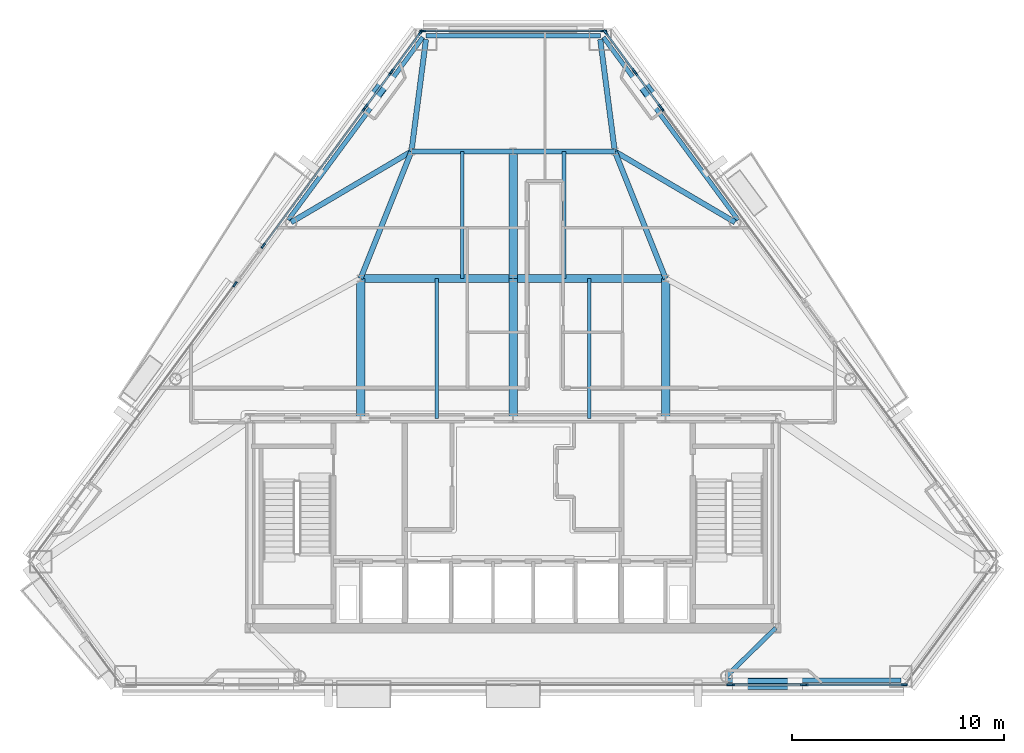
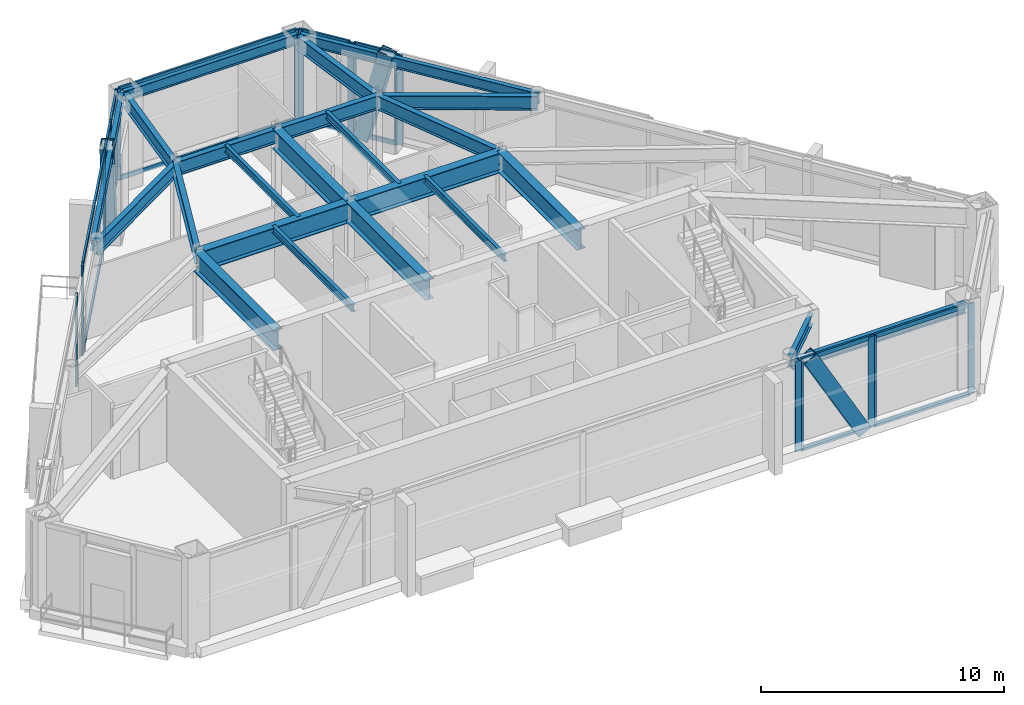
# One storey, part 3 of 10: 38 members, 23 beams, 11 elements without a shape of their own.
"""IFC4 building model written with IfcOpenShell, lengths in metres."""

import ifcopenshell
import ifcopenshell.guid

model = None  # the IFC model being written
_history = None  # IfcOwnerHistory: only IFC2X3 demands one
_inside = {}  # id of a spatial element -> (the spatial element, [elements in it])
_under = {}  # id of a project, library or spatial element -> (it, [spatial elements below it])
_declared = {}  # id of a project -> (the project, [libraries it declares])
_typed = {}  # id of a type object -> (the type object, [elements of that type])
_made_of = {}  # id of a material, layer set ... -> (it, [elements and type objects made of it])


def new_model(schema):
    """Start an empty IFC model of exactly this schema.

    Asked for "IFC4X3", IfcOpenShell would pick the latest addendum, in which some entities
    have other attributes; the version numbers below select the first issue.
    IFC2X3 requires an IfcOwnerHistory on every rooted entity: one is made here for all.
    """
    global model, _history
    if schema == "IFC4X3":
        model = ifcopenshell.file(schema_version=(4, 3, 0, 0))
    else:
        model = ifcopenshell.file(schema=schema)
    _inside.clear()
    _under.clear()
    _declared.clear()
    _typed.clear()
    _made_of.clear()
    _history = None
    if model.schema == "IFC2X3":
        org = make("IfcOrganization", Name="unknown")
        user = make(
            "IfcPersonAndOrganization",
            ThePerson=make("IfcPerson", FamilyName="unknown"),
            TheOrganization=org,
        )
        app = make(
            "IfcApplication",
            ApplicationDeveloper=org,
            Version="unknown",
            ApplicationFullName="unknown",
            ApplicationIdentifier="unknown",
        )
        _history = make(
            "IfcOwnerHistory",
            OwningUser=user,
            OwningApplication=app,
            ChangeAction="ADDED",
            CreationDate=0,
        )
    return model


def make(cls, **values):
    """One entity of the class cls with the attributes given. An attribute that is None is left unset."""
    return model.create_entity(
        cls, **{name: value for name, value in values.items() if value is not None}
    )


def rooted(cls, **values):
    """An entity with a GlobalId (a new one), such as an element, a storey or a relation."""
    return make(cls, GlobalId=ifcopenshell.guid.new(), OwnerHistory=_history, **values)


def si_unit(unit_type, name, prefix=None):
    """IfcSIUnit, for example si_unit("LENGTHUNIT", "METRE", prefix="MILLI")."""
    return make("IfcSIUnit", UnitType=unit_type, Prefix=prefix, Name=name)


def assignment(units):
    """IfcUnitAssignment: the units of a project."""
    return None if units is None else make("IfcUnitAssignment", Units=units)


def point(xyz):
    """IfcCartesianPoint."""
    return None if xyz is None else make("IfcCartesianPoint", Coordinates=xyz)


def direction(xyz):
    """IfcDirection."""
    return None if xyz is None else make("IfcDirection", DirectionRatios=xyz)


def frame(location, z_axis=None, x_axis=None):
    """IfcAxis2Placement3D, a coordinate frame: its origin and axes. An axis left out is left unset."""
    return make(
        "IfcAxis2Placement3D",
        Location=point(location),
        Axis=direction(z_axis),
        RefDirection=direction(x_axis),
    )


def frame_2d(location, x_axis=None):
    """IfcAxis2Placement2D, a coordinate frame in the plane: its origin and x axis."""
    return make(
        "IfcAxis2Placement2D", Location=point(location), RefDirection=direction(x_axis)
    )


def origin():
    """The frame at (0, 0, 0) with its axes left unset."""
    return frame((0.0, 0.0, 0.0))


def origin_2d():
    """The frame at (0, 0) in the plane with its x axis left unset."""
    return frame_2d((0.0, 0.0))


def place(relative_to, where):
    """IfcLocalPlacement: puts the frame where relative to a parent placement (None: the world)."""
    return make(
        "IfcLocalPlacement", PlacementRelTo=relative_to, RelativePlacement=where
    )


def context(
    kind, dimensions, precision=None, world=None, true_north=None, identifier=None
):
    """IfcGeometricRepresentationContext, for example the 3D "Model" context."""
    return make(
        "IfcGeometricRepresentationContext",
        ContextIdentifier=identifier,
        ContextType=kind,
        CoordinateSpaceDimension=dimensions,
        Precision=precision,
        WorldCoordinateSystem=world,
        TrueNorth=true_north,
    )


def subcontext(parent, identifier, kind, view, scale=None):
    """IfcGeometricRepresentationSubContext, for example "Body" below "Model"."""
    return make(
        "IfcGeometricRepresentationSubContext",
        ContextIdentifier=identifier,
        ContextType=kind,
        ParentContext=parent,
        TargetScale=scale,
        TargetView=view,
    )


def project(units=None, contexts=None):
    """IfcProject with its units and contexts."""
    return rooted(
        "IfcProject",
        Name="project",
        RepresentationContexts=contexts,
        UnitsInContext=assignment(units),
    )


def spatial(cls, under=None, at=None, **own):
    """A site, building, storey or space (cls), placed at a placement, below another one or the project."""
    s = rooted(cls, ObjectPlacement=at, **own)
    if under is not None:
        _under.setdefault(under.id(), (under, []))[1].append(s)
    return s


def profile(cls, at=None, kind="AREA", **sizes):
    """A parametric profile (cls). Its sizes go by their IFC names, for example OverallWidth=200.0."""
    return make(cls, ProfileType=kind, Position=at, **sizes)


def rectangle(**sizes):
    """IfcRectangleProfileDef."""
    return profile("IfcRectangleProfileDef", **sizes)


def hollow_rectangle(**sizes):
    """IfcRectangleHollowProfileDef."""
    return profile("IfcRectangleHollowProfileDef", **sizes)


def i_section(**sizes):
    """IfcIShapeProfileDef."""
    return profile("IfcIShapeProfileDef", **sizes)


def extrude(swept, where, along, depth):
    """IfcExtrudedAreaSolid: the profile swept, set in the frame where, extruded along a direction by depth."""
    return make(
        "IfcExtrudedAreaSolid",
        SweptArea=swept,
        Position=where,
        ExtrudedDirection=direction(along),
        Depth=depth,
    )


def shape(context_of_items, identifier, shape_type, items):
    """IfcShapeRepresentation: the items that make up one representation, for example the "Body"."""
    return make(
        "IfcShapeRepresentation",
        ContextOfItems=context_of_items,
        RepresentationIdentifier=identifier,
        RepresentationType=shape_type,
        Items=items,
    )


def material(Name=None, Category=None):
    """IfcMaterial."""
    return make("IfcMaterial", Name=Name, Category=Category)


def layer(
    of_material, thickness, ventilated=None, Name=None, Category=None, Priority=None
):
    """IfcMaterialLayer: one layer of a wall or slab, of a material (None: an air gap)."""
    return make(
        "IfcMaterialLayer",
        Material=of_material,
        LayerThickness=thickness,
        IsVentilated=ventilated,
        Name=Name,
        Category=Category,
        Priority=Priority,
    )


def layer_set(layers, Name=None):
    """IfcMaterialLayerSet."""
    return make("IfcMaterialLayerSet", MaterialLayers=layers, LayerSetName=Name)


def material_profile(
    of_material, cross_section, Name=None, Category=None, Priority=None
):
    """IfcMaterialProfile: a cross section and its material."""
    return make(
        "IfcMaterialProfile",
        Name=Name,
        Material=of_material,
        Profile=cross_section,
        Priority=Priority,
        Category=Category,
    )


def profile_set(profiles, Name=None, composite=None):
    """IfcMaterialProfileSet."""
    return make(
        "IfcMaterialProfileSet",
        Name=Name,
        MaterialProfiles=profiles,
        CompositeProfile=composite,
    )


def made_of(thing, what):
    """Note that an element or type object is made of a material, layer set ...; save() writes the relation."""
    if what is not None:
        _made_of.setdefault(what.id(), (what, []))[1].append(thing)
    return thing


def type_object(cls, material=None, **own):
    """A type object (cls), such as IfcWallType, which elements share."""
    return made_of(rooted(cls, **own), material)


def element(
    cls,
    number,
    at=None,
    inside=None,
    cuts=None,
    type_object=None,
    material=None,
    context=None,
    identifier="Body",
    shape_type=None,
    held_by="IfcProductDefinitionShape",
    body=None,
    shapes=None,
    **own,
):
    """One element of the class cls, such as IfcWall. Its Tag is "e" and its number.

    at: its placement. inside: the storey or other place that contains it. cuts: it is an
    opening in that element (IfcRelVoidsElement). A single representation is given by context,
    identifier, shape_type and body (its items); several are given by shapes. held_by: the class
    of the entity that holds the representations. save() writes the other relations.
    """
    e = rooted(cls, Tag="e%d" % number, ObjectPlacement=at, **own)
    if body is not None:
        shapes = [shape(context, identifier, shape_type, body)]
    if shapes is not None:
        e.Representation = make(held_by, Representations=shapes)
    if inside is not None:
        _inside.setdefault(inside.id(), (inside, []))[1].append(e)
    if cuts is not None:
        rooted(
            "IfcRelVoidsElement", RelatingBuildingElement=cuts, RelatedOpeningElement=e
        )
    if type_object is not None:
        _typed.setdefault(type_object.id(), (type_object, []))[1].append(e)
    return made_of(e, material)


def aggregate(whole, parts):
    """IfcRelAggregates: a whole, such as a stair, and the parts it consists of."""
    return rooted("IfcRelAggregates", RelatingObject=whole, RelatedObjects=parts)


def save(model, path):
    """Write the relations noted so far, then the file.

    IfcRelAggregates (storeys below a building ...), IfcRelContainedInSpatialStructure (elements
    in a storey), IfcRelDefinesByType, IfcRelAssociatesMaterial and IfcRelDeclares: one each for
    every whole, place, type object, material and project.
    """
    for whole, parts in _under.values():
        aggregate(whole, parts)
    for where, things in _inside.values():
        rooted(
            "IfcRelContainedInSpatialStructure",
            RelatedElements=things,
            RelatingStructure=where,
        )
    for kind, things in _typed.values():
        rooted("IfcRelDefinesByType", RelatedObjects=things, RelatingType=kind)
    for what, things in _made_of.values():
        rooted("IfcRelAssociatesMaterial", RelatedObjects=things, RelatingMaterial=what)
    for by, libraries in _declared.values():
        rooted("IfcRelDeclares", RelatingContext=by, RelatedDefinitions=libraries)
    model.write(path)


model = new_model("IFC4")

# Units and contexts
model_context = context("Model", 3, precision=1e-05, world=origin(), true_north=direction((0.0, 1.0)))
body_context = subcontext(model_context, "Body", "Model", "MODEL_VIEW")
ifc_project = project(units=[si_unit("LENGTHUNIT", "METRE"), si_unit("AREAUNIT", "SQUARE_METRE"), si_unit("VOLUMEUNIT", "CUBIC_METRE"), si_unit("PLANEANGLEUNIT", "RADIAN"), si_unit("MASSUNIT", "GRAM", prefix="KILO")], contexts=[model_context])

# Site, building, storey
site_placement = place(None, origin())
site = spatial("IfcSite", under=ifc_project, at=site_placement, CompositionType="ELEMENT")
building_placement = place(site_placement, origin())
building = spatial("IfcBuilding", under=site, at=building_placement, Name="Talgorran Terracotta Tower", CompositionType="ELEMENT")
storey_placement = place(building_placement, frame((0.0, 0.0, 173.699951171875)))
storey = spatial("IfcBuildingStorey", under=building, at=storey_placement, Name="L45", CompositionType="ELEMENT", Elevation=173.699951171875)

# Beams
ifc_material_1 = material(Name="Steel Grade 350 (350L0)", Category="steel")
ifc_material_profile_1 = material_profile(ifc_material_1, i_section(OverallWidth=0.39990234375, OverallDepth=1.0, WebThickness=0.01611328125, FlangeThickness=0.031005859375, at=origin_2d()), Name="1000WB296")
ifc_profile_set_1 = profile_set([ifc_material_profile_1], Name="Steel Grade 350 (350L0)")
beam_type_1 = type_object("IfcBeamType", Name="BM_1000WB296", PredefinedType="BEAM", material=ifc_profile_set_1)
for number, where, z_axis, x_axis, name in (
    (1, (-7.199951171875, -4.199951171875, 4.050048828125), (0.0, 1.0, 0.0), (-1.0, 0.0, 0.0), "L45 Floor Girder G01"),
    (2, (0.0, -4.199951171875, 4.050048828125), (0.0, 1.0, 0.0), (-1.0, 0.0, 0.0), "L45 Floor Girder G02"),
    (3, (7.199951171875, -4.199951171875, 4.050048828125), (0.0, 1.0, 0.0), (-1.0, 0.0, 0.0), "L45 Floor Girder G03"),
):
    element("IfcBeam", number, at=place(storey_placement, frame(where, z_axis=z_axis, x_axis=x_axis)), inside=storey, type_object=beam_type_1, Name=name, PredefinedType="BEAM", context=body_context, shape_type="SweptSolid", body=[
        extrude(i_section(OverallWidth=0.39990234375, OverallDepth=1.0, WebThickness=0.01611328125, FlangeThickness=0.031005859375, at=origin_2d()), origin(), (0.0, 0.0, 1.0), 6.599853515625),
    ])
for number, where, z_axis, x_axis, name in (
    (4, (-7.199951171875, 2.39990234375, 4.050048828125), (1.0, 0.0, 0.0), (0.0, 1.0, 0.0), "L45 Floor Girder G04"),
    (5, (0.0, 2.39990234375, 4.050048828125), (1.0, 0.0, 0.0), (0.0, 1.0, 0.0), "L45 Floor Girder G05"),
):
    element("IfcBeam", number, at=place(storey_placement, frame(where, z_axis=z_axis, x_axis=x_axis)), inside=storey, type_object=beam_type_1, Name=name, PredefinedType="BEAM", context=body_context, shape_type="SweptSolid", body=[
        extrude(i_section(OverallWidth=0.39990234375, OverallDepth=1.0, WebThickness=0.01611328125, FlangeThickness=0.031005859375, at=origin_2d()), origin(), (0.0, 0.0, 1.0), 7.199951171875),
    ])
beam_1_placement = place(storey_placement, frame((0.0, 2.39990234375, 4.050048828125), z_axis=(0.0, 1.0, 0.0), x_axis=(-1.0, 0.0, 0.0)))
element("IfcBeam", 6, at=beam_1_placement, inside=storey, type_object=beam_type_1, Name="L45 Floor Girder G09", PredefinedType="BEAM", context=body_context, shape_type="SweptSolid", body=[
    extrude(i_section(OverallWidth=0.39990234375, OverallDepth=1.0, WebThickness=0.01611328125, FlangeThickness=0.031005859375, at=origin_2d()), origin(), (0.0, 0.0, 1.0), 6.0),
])
ifc_material_2 = material(Name="Steel S355 (300PLUS)", Category="steel")
ifc_material_profile_2 = material_profile(ifc_material_2, i_section(OverallWidth=0.25, OverallDepth=0.699951171875, WebThickness=0.011962890625, FlangeThickness=0.02392578125, at=origin_2d()), Name="700WB150")
ifc_profile_set_2 = profile_set([ifc_material_profile_2], Name="Steel S355 (300PLUS)")
beam_type_2 = type_object("IfcBeamType", Name="BM_700WB150", PredefinedType="BEAM", material=ifc_profile_set_2)
for number, where, z_axis, x_axis, name in (
    (7, (-7.199951171875, 2.39990234375, 4.199951171875), (0.371377648723, 0.928481901832, 0.0), (-0.928481901832, 0.371377648723, 0.0), "L45 Floor Girder G08"),
    (8, (7.199951171875, 2.39990234375, 4.199951171875), (-0.371377648723, 0.928481901832, 0.0), (-0.928481901832, -0.371377648723, 0.0), "L45 Floor Girder G10"),
):
    element("IfcBeam", number, at=place(storey_placement, frame(where, z_axis=z_axis, x_axis=x_axis)), inside=storey, type_object=beam_type_2, Name=name, PredefinedType="BEAM", context=body_context, shape_type="SweptSolid", body=[
        extrude(i_section(OverallWidth=0.25, OverallDepth=0.699951171875, WebThickness=0.011962890625, FlangeThickness=0.02392578125, at=origin_2d()), origin(), (0.0, 0.0, 1.0), 6.462158203125),
    ])
for number, where, z_axis, x_axis, name in (
    (9, (-4.800048828125, 8.39990234375, 4.199951171875), (1.0, 0.0, 0.0), (0.0, 1.0, 0.0), "L45 Floor Girder G11"),
    (10, (0.0, 8.39990234375, 4.199951171875), (1.0, 0.0, 0.0), (0.0, 1.0, 0.0), "L45 Floor Girder G12"),
):
    element("IfcBeam", number, at=place(storey_placement, frame(where, z_axis=z_axis, x_axis=x_axis)), inside=storey, type_object=beam_type_2, Name=name, PredefinedType="BEAM", context=body_context, shape_type="SweptSolid", body=[
        extrude(i_section(OverallWidth=0.25, OverallDepth=0.699951171875, WebThickness=0.011962890625, FlangeThickness=0.02392578125, at=origin_2d()), origin(), (0.0, 0.0, 1.0), 4.800048828125),
    ])
for number, where, z_axis, x_axis, name in (
    (11, (-4.800048828125, 8.39990234375, 4.199951171875), (-0.861549168895, -0.507674137195, 0.0), (0.507674137195, -0.861549168895, 0.0), "L45 Floor Girder G13"),
    (12, (4.800048828125, 8.39990234375, 4.199951171875), (0.861549168895, -0.507674137195, 0.0), (0.507674137195, 0.861549168895, 0.0), "L45 Floor Girder G14"),
):
    element("IfcBeam", number, at=place(storey_placement, frame(where, z_axis=z_axis, x_axis=x_axis)), inside=storey, type_object=beam_type_2, Name=name, PredefinedType="BEAM", context=body_context, shape_type="SweptSolid", body=[
        extrude(i_section(OverallWidth=0.25, OverallDepth=0.699951171875, WebThickness=0.011962890625, FlangeThickness=0.02392578125, at=origin_2d()), origin(), (0.0, 0.0, 1.0), 6.58935546875),
    ])
for number, where, z_axis, x_axis, name in (
    (13, (-4.800048828125, 8.39990234375, 4.199951171875), (0.128759320013, 0.991675873211, 0.0), (-0.991675873211, 0.128759320013, 0.0), "L45 Floor Girder G15"),
    (14, (4.800048828125, 8.39990234375, 4.199951171875), (-0.128759320013, 0.991675873211, 0.0), (-0.991675873211, -0.128759320013, 0.0), "L45 Floor Girder G16"),
):
    element("IfcBeam", number, at=place(storey_placement, frame(where, z_axis=z_axis, x_axis=x_axis)), inside=storey, type_object=beam_type_2, Name=name, PredefinedType="BEAM", context=body_context, shape_type="SweptSolid", body=[
        extrude(i_section(OverallWidth=0.25, OverallDepth=0.699951171875, WebThickness=0.011962890625, FlangeThickness=0.02392578125, at=origin_2d()), origin(), (0.0, 0.0, 1.0), 5.328125),
    ])
ifc_material_profile_3 = material_profile(ifc_material_2, i_section(OverallWidth=0.17138671875, OverallDepth=0.355712890625, WebThickness=0.00732421875, FlangeThickness=0.011474609375, at=origin_2d()), Name="360UB50.7")
ifc_profile_set_3 = profile_set([ifc_material_profile_3], Name="Steel S355 (300PLUS)")
beam_type_3 = type_object("IfcBeamType", Name="BM_JS_360UB51", PredefinedType="JOIST", material=ifc_profile_set_3)
for number, where, z_axis, x_axis, name in (
    (15, (-3.60009765625, -4.199951171875, 4.372314453125), (0.0, 1.0, 0.0), (-1.0, 0.0, 0.0), "L45 Secondary Joist J01"),
    (16, (3.60009765625, -4.199951171875, 4.372314453125), (0.0, 1.0, 0.0), (-1.0, 0.0, 0.0), "L45 Secondary Joist J02"),
):
    element("IfcBeam", number, at=place(storey_placement, frame(where, z_axis=z_axis, x_axis=x_axis)), inside=storey, type_object=beam_type_3, Name=name, PredefinedType="JOIST", context=body_context, shape_type="SweptSolid", body=[
        extrude(i_section(OverallWidth=0.17138671875, OverallDepth=0.355712890625, WebThickness=0.00732421875, FlangeThickness=0.011474609375, at=origin_2d()), origin(), (0.0, 0.0, 1.0), 6.599853515625),
    ])
for number, where, z_axis, x_axis, name in (
    (17, (-2.39990234375, 2.39990234375, 4.372314453125), (0.0, 1.0, 0.0), (-1.0, 0.0, 0.0), "L45 Secondary Joist J03"),
    (18, (2.39990234375, 2.39990234375, 4.372314453125), (0.0, 1.0, 0.0), (-1.0, 0.0, 0.0), "L45 Secondary Joist J04"),
):
    element("IfcBeam", number, at=place(storey_placement, frame(where, z_axis=z_axis, x_axis=x_axis)), inside=storey, type_object=beam_type_3, Name=name, PredefinedType="JOIST", context=body_context, shape_type="SweptSolid", body=[
        extrude(i_section(OverallWidth=0.17138671875, OverallDepth=0.355712890625, WebThickness=0.00732421875, FlangeThickness=0.011474609375, at=origin_2d()), origin(), (0.0, 0.0, 1.0), 6.0),
    ])
ifc_material_profile_4 = material_profile(ifc_material_2, i_section(OverallWidth=0.209228515625, OverallDepth=0.532958984375, WebThickness=0.01025390625, FlangeThickness=0.015625, at=origin_2d()), Name="530UB92.4")
ifc_profile_set_4 = profile_set([ifc_material_profile_4], Name="Steel S355 (300PLUS)")
beam_type_4 = type_object("IfcBeamType", Name="BM_SP_530UB92", PredefinedType="SPANDREL", material=ifc_profile_set_4)
beam_2_placement = place(storey_placement, frame((10.0654296875, -16.565673828125, 4.283447265625), z_axis=(1.0, 0.0, 0.0), x_axis=(0.0, 1.0, 0.0)))
element("IfcBeam", 19, at=beam_2_placement, inside=storey, type_object=beam_type_4, Name="L45 Perimeter Spandrel Beam FC2-MC3", PredefinedType="SPANDREL", context=body_context, shape_type="SweptSolid", body=[
    extrude(i_section(OverallWidth=0.209228515625, OverallDepth=0.532958984375, WebThickness=0.01025390625, FlangeThickness=0.015625, at=origin_2d()), origin(), (0.0, 0.0, 1.0), 8.2353515625),
])
beam_3_placement = place(storey_placement, frame((10.621826171875, 5.16162109375, 4.283447265625), z_axis=(-0.593491072878, 0.804840572048, 0.0), x_axis=(-0.804840572048, -0.593491072878, 0.0)))
element("IfcBeam", 20, at=beam_3_placement, inside=storey, type_object=beam_type_4, Name="L45 Perimeter Spandrel Beam FC4-MC5", PredefinedType="SPANDREL", context=body_context, shape_type="SweptSolid", body=[
    extrude(i_section(OverallWidth=0.209228515625, OverallDepth=0.532958984375, WebThickness=0.01025390625, FlangeThickness=0.015625, at=origin_2d()), origin(), (0.0, 0.0, 1.0), 10.720947265625),
])
beam_4_placement = place(storey_placement, frame((4.114013671875, 13.863525390625, 4.283447265625), z_axis=(-1.0, 0.0, 0.0), x_axis=(0.0, -1.0, 0.0)))
element("IfcBeam", 21, at=beam_4_placement, inside=storey, type_object=beam_type_4, Name="L45 Perimeter Spandrel Beam MC5-MC6", PredefinedType="SPANDREL", context=body_context, shape_type="SweptSolid", body=[
    extrude(i_section(OverallWidth=0.209228515625, OverallDepth=0.532958984375, WebThickness=0.01025390625, FlangeThickness=0.015625, at=origin_2d()), origin(), (0.0, 0.0, 1.0), 8.22802734375),
])
beam_5_placement = place(storey_placement, frame((-4.259033203125, 13.790283203125, 4.283447265625), z_axis=(-0.593491072878, -0.804840572048, 0.0), x_axis=(0.804840572048, -0.593491072878, 0.0)))
element("IfcBeam", 22, at=beam_5_placement, inside=storey, type_object=beam_type_4, Name="L45 Perimeter Spandrel Beam MC6-FC5", PredefinedType="SPANDREL", context=body_context, shape_type="SweptSolid", body=[
    extrude(i_section(OverallWidth=0.209228515625, OverallDepth=0.532958984375, WebThickness=0.01025390625, FlangeThickness=0.015625, at=origin_2d()), origin(), (0.0, 0.0, 1.0), 10.720947265625),
])
beam_6_placement = place(storey_placement, frame((12.39990234375, -14.10009765625, 4.283447265625), z_axis=(-0.714577354867, -0.699556433686, 0.0), x_axis=(0.699556433686, -0.714577354867, 0.0)))
element("IfcBeam", 23, at=beam_6_placement, inside=storey, type_object=beam_type_4, Name="L45 South-East Core Tie Beam", PredefinedType="SPANDREL", context=body_context, shape_type="SweptSolid", body=[
    extrude(i_section(OverallWidth=0.209228515625, OverallDepth=0.532958984375, WebThickness=0.01025390625, FlangeThickness=0.015625, at=origin_2d()), origin(), (0.0, 0.0, 1.0), 3.266845703125),
])

# Members
ifc_material_profile_5 = material_profile(ifc_material_1, hollow_rectangle(XDim=0.52001953125, YDim=0.659912109375, WallThickness=0.034912109375, at=origin_2d()), Name="WBOX660X520X35")
ifc_profile_set_5 = profile_set([ifc_material_profile_5], Name="Steel Grade 350 (350L0)")
member_type_1 = type_object("IfcMemberType", Name="MB_MEGA_660", PredefinedType="BRACE", material=ifc_profile_set_5)
member_1_placement = place(storey_placement, frame((13.307373046875, -16.74560546875, -0.02490234375), z_axis=(-0.49025904333, 0.0, 0.871576772541), x_axis=(0.0, -1.0, 0.0)))
element("IfcMember", 24, at=member_1_placement, inside=storey, type_object=member_type_1, Name="L45 Exterior Face Mega-Brace MB-3 (SEF)", PredefinedType="BRACE", context=body_context, shape_type="SweptSolid", body=[
    extrude(hollow_rectangle(XDim=0.52001953125, YDim=0.659912109375, WallThickness=0.034912109375, at=origin_2d()), origin(), (0.0, 0.0, 1.0), 5.277587890625),
])
for number, where, z_axis, x_axis, name in (
    (25, (5.992919921875, 11.7421875, -0.02490234375), (0.143919400303, -0.195153676976, 0.970155785727), (0.80481558822, 0.593524952262, 0.0), "L45 Exterior Face Mega-Brace MB-3 (NEU)"),
    (26, (-5.992919921875, 11.7421875, -0.02490234375), (-0.143919400303, -0.195153676976, 0.970155785727), (0.80481558822, -0.593524952262, 0.0), "L45 Exterior Face Mega-Brace MB-3 (NWU)"),
):
    element("IfcMember", number, at=place(storey_placement, frame(where, z_axis=z_axis, x_axis=x_axis)), inside=storey, type_object=member_type_1, Name=name, PredefinedType="BRACE", context=body_context, shape_type="SweptSolid", body=[
        extrude(hollow_rectangle(XDim=0.52001953125, YDim=0.659912109375, WallThickness=0.034912109375, at=origin_2d()), origin(), (0.0, 0.0, 1.0), 4.741455078125),
    ])

# Curtain wall, member
ifc_material_3 = material(Name="Structural Laminated Low-Iron")
ifc_layer = layer(ifc_material_3, 0.239990234375, Name="CW_SYS5_SKY_OBS")
ifc_layer_set = layer_set([ifc_layer], Name="Structural Laminated Low-Iron")
curtain_wall_type = type_object("IfcCurtainWallType", Name="CW_SYS5_SKY_OBS", PredefinedType="NOTDEFINED", material=ifc_layer_set)
curtain_wall_1_placement = place(storey_placement, origin())
curtain_wall_1 = element("IfcCurtainWall", 27, at=curtain_wall_1_placement, inside=storey, type_object=curtain_wall_type, Name="CW-L45-F1C", PredefinedType="NOTDEFINED")
ifc_material_4 = material(Name="Architectural Aluminium 6063-T6", Category="aluminium")
ifc_material_profile_6 = material_profile(ifc_material_4, rectangle(XDim=0.090087890625, YDim=0.280029296875, at=origin_2d()), Name="CWM90X280")
ifc_profile_set_6 = profile_set([ifc_material_profile_6], Name="Architectural Aluminium 6063-T6")
member_type_2 = type_object("IfcMemberType", Name="MUL_90X280", PredefinedType="MULLION", material=ifc_profile_set_6)
member_2_placement = place(storey_placement, frame((10.232421875, -16.78564453125, 0.0), z_axis=(0.0, 0.0, 1.0), x_axis=(0.0, 1.0, 0.0)))
member_2 = element("IfcMember", 28, at=member_2_placement, type_object=member_type_2, Name="CW-L45-1C mullion 3", PredefinedType="MULLION", context=body_context, shape_type="SweptSolid", body=[
    extrude(rectangle(XDim=0.090087890625, YDim=0.280029296875, at=origin_2d()), origin(), (0.0, 0.0, 1.0), 4.550048828125),
])
aggregate(curtain_wall_1, [member_2])

# Curtain wall, members
curtain_wall_2_placement = place(storey_placement, origin())
curtain_wall_2 = element("IfcCurtainWall", 29, at=curtain_wall_2_placement, inside=storey, type_object=curtain_wall_type, Name="CW-L45-F1D", PredefinedType="NOTDEFINED")
member_3_placement = place(storey_placement, frame((10.332275390625, -16.78564453125, 0.0), z_axis=(0.0, 0.0, 1.0), x_axis=(0.0, 1.0, 0.0)))
member_3 = element("IfcMember", 30, at=member_3_placement, type_object=member_type_2, Name="CW-L45-1D mullion 1", PredefinedType="MULLION", context=body_context, shape_type="SweptSolid", body=[
    extrude(rectangle(XDim=0.090087890625, YDim=0.280029296875, at=origin_2d()), origin(), (0.0, 0.0, 1.0), 4.550048828125),
])
member_4_placement = place(storey_placement, frame((13.695068359375, -16.78564453125, 0.0), z_axis=(0.0, 0.0, 1.0), x_axis=(0.0, 1.0, 0.0)))
member_4 = element("IfcMember", 31, at=member_4_placement, type_object=member_type_2, Name="CW-L45-1D mullion 2", PredefinedType="MULLION", context=body_context, shape_type="SweptSolid", body=[
    extrude(rectangle(XDim=0.090087890625, YDim=0.280029296875, at=origin_2d()), origin(), (0.0, 0.0, 1.0), 4.550048828125),
])

curtain_wall_3_placement = place(storey_placement, origin())
curtain_wall_3 = element("IfcCurtainWall", 32, at=curtain_wall_3_placement, inside=storey, type_object=curtain_wall_type, Name="CW-L45-F1E", PredefinedType="NOTDEFINED")
member_5_placement = place(storey_placement, frame((13.794921875, -16.78564453125, 0.0), z_axis=(0.0, 0.0, 1.0), x_axis=(0.0, 1.0, 0.0)))
member_5 = element("IfcMember", 33, at=member_5_placement, type_object=member_type_2, Name="CW-L45-1E mullion 1", PredefinedType="MULLION", context=body_context, shape_type="SweptSolid", body=[
    extrude(rectangle(XDim=0.090087890625, YDim=0.280029296875, at=origin_2d()), origin(), (0.0, 0.0, 1.0), 4.550048828125),
])
member_6_placement = place(storey_placement, frame((18.457763671875, -16.78564453125, 0.0), z_axis=(0.0, 0.0, 1.0), x_axis=(0.0, 1.0, 0.0)))
member_6 = element("IfcMember", 34, at=member_6_placement, type_object=member_type_2, Name="CW-L45-1E mullion 2", PredefinedType="MULLION", context=body_context, shape_type="SweptSolid", body=[
    extrude(rectangle(XDim=0.090087890625, YDim=0.280029296875, at=origin_2d()), origin(), (0.0, 0.0, 1.0), 4.550048828125),
])

# Curtain wall, member
curtain_wall_4_placement = place(storey_placement, origin())
curtain_wall_4 = element("IfcCurtainWall", 35, at=curtain_wall_4_placement, inside=storey, type_object=curtain_wall_type, Name="CW-L45-F41", PredefinedType="NOTDEFINED")
member_7_placement = place(storey_placement, frame((7.01611328125, 10.421875, 0.0), z_axis=(0.0, 0.0, 1.0), x_axis=(-0.804839058038, -0.59349312604, 0.0)))
member_7 = element("IfcMember", 36, at=member_7_placement, type_object=member_type_2, Name="CW-L45-41 mullion 2", PredefinedType="MULLION", context=body_context, shape_type="SweptSolid", body=[
    extrude(rectangle(XDim=0.090087890625, YDim=0.280029296875, at=origin_2d()), origin(), (0.0, 0.0, 1.0), 4.550048828125),
])
aggregate(curtain_wall_4, [member_7])

# Curtain wall, members
curtain_wall_5_placement = place(storey_placement, origin())
curtain_wall_5 = element("IfcCurtainWall", 37, at=curtain_wall_5_placement, inside=storey, type_object=curtain_wall_type, Name="CW-L45-F41B", PredefinedType="NOTDEFINED")
member_8_placement = place(storey_placement, frame((6.956787109375, 10.50244140625, 0.0), z_axis=(0.0, 0.0, 1.0), x_axis=(-0.804831038132, -0.593504001722, 0.0)))
member_8 = element("IfcMember", 38, at=member_8_placement, type_object=member_type_2, Name="CW-L45-41B mullion 1", PredefinedType="MULLION", context=body_context, shape_type="SweptSolid", body=[
    extrude(rectangle(XDim=0.090087890625, YDim=0.280029296875, at=origin_2d()), origin(), (0.0, 0.0, 1.0), 4.550048828125),
])
member_9_placement = place(storey_placement, frame((5.775634765625, 12.104248046875, 0.0), z_axis=(0.0, 0.0, 1.0), x_axis=(-0.804831038132, -0.593504001722, 0.0)))
member_9 = element("IfcMember", 39, at=member_9_placement, type_object=member_type_2, Name="CW-L45-41B mullion 2", PredefinedType="MULLION", context=body_context, shape_type="SweptSolid", body=[
    extrude(rectangle(XDim=0.090087890625, YDim=0.280029296875, at=origin_2d()), origin(), (0.0, 0.0, 1.0), 4.550048828125),
])

curtain_wall_6_placement = place(storey_placement, origin())
curtain_wall_6 = element("IfcCurtainWall", 40, at=curtain_wall_6_placement, inside=storey, type_object=curtain_wall_type, Name="CW-L45-F41C", PredefinedType="NOTDEFINED")
member_10_placement = place(storey_placement, frame((5.71630859375, 12.1845703125, 0.0), z_axis=(0.0, 0.0, 1.0), x_axis=(-0.804835736891, -0.593497629838, 0.0)))
member_10 = element("IfcMember", 41, at=member_10_placement, type_object=member_type_2, Name="CW-L45-41C mullion 1", PredefinedType="MULLION", context=body_context, shape_type="SweptSolid", body=[
    extrude(rectangle(XDim=0.090087890625, YDim=0.280029296875, at=origin_2d()), origin(), (0.0, 0.0, 1.0), 4.550048828125),
])
member_11_placement = place(storey_placement, frame((4.366455078125, 14.01513671875, 0.0), z_axis=(0.0, 0.0, 1.0), x_axis=(-0.804835736891, -0.593497629838, 0.0)))
member_11 = element("IfcMember", 42, at=member_11_placement, type_object=member_type_2, Name="CW-L45-41C mullion 2", PredefinedType="MULLION", context=body_context, shape_type="SweptSolid", body=[
    extrude(rectangle(XDim=0.090087890625, YDim=0.280029296875, at=origin_2d()), origin(), (0.0, 0.0, 1.0), 4.550048828125),
])

curtain_wall_7_placement = place(storey_placement, origin())
curtain_wall_7 = element("IfcCurtainWall", 43, at=curtain_wall_7_placement, inside=storey, type_object=curtain_wall_type, Name="CW-L45-F4", PredefinedType="NOTDEFINED")
member_12_placement = place(storey_placement, frame((4.27099609375, 14.08349609375, 0.0), z_axis=(0.0, 0.0, 1.0), x_axis=(0.0, -1.0, 0.0)))
member_12 = element("IfcMember", 44, at=member_12_placement, type_object=member_type_2, Name="CW-L45-4 mullion 1", PredefinedType="MULLION", context=body_context, shape_type="SweptSolid", body=[
    extrude(rectangle(XDim=0.090087890625, YDim=0.280029296875, at=origin_2d()), origin(), (0.0, 0.0, 1.0), 4.550048828125),
])
member_13_placement = place(storey_placement, frame((-4.27099609375, 14.08349609375, 0.0), z_axis=(0.0, 0.0, 1.0), x_axis=(0.0, -1.0, 0.0)))
member_13 = element("IfcMember", 45, at=member_13_placement, type_object=member_type_2, Name="CW-L45-4 mullion 2", PredefinedType="MULLION", context=body_context, shape_type="SweptSolid", body=[
    extrude(rectangle(XDim=0.090087890625, YDim=0.280029296875, at=origin_2d()), origin(), (0.0, 0.0, 1.0), 4.550048828125),
])

curtain_wall_8_placement = place(storey_placement, origin())
curtain_wall_8 = element("IfcCurtainWall", 46, at=curtain_wall_8_placement, inside=storey, type_object=curtain_wall_type, Name="CW-L45-F60", PredefinedType="NOTDEFINED")
member_14_placement = place(storey_placement, frame((-4.366455078125, 14.01513671875, 0.0), z_axis=(0.0, 0.0, 1.0), x_axis=(0.804835736891, -0.593497629838, 0.0)))
member_14 = element("IfcMember", 47, at=member_14_placement, type_object=member_type_2, Name="CW-L45-60 mullion 1", PredefinedType="MULLION", context=body_context, shape_type="SweptSolid", body=[
    extrude(rectangle(XDim=0.090087890625, YDim=0.280029296875, at=origin_2d()), origin(), (0.0, 0.0, 1.0), 4.550048828125),
])
member_15_placement = place(storey_placement, frame((-5.71630859375, 12.1845703125, 0.0), z_axis=(0.0, 0.0, 1.0), x_axis=(0.804835736891, -0.593497629838, 0.0)))
member_15 = element("IfcMember", 48, at=member_15_placement, type_object=member_type_2, Name="CW-L45-60 mullion 2", PredefinedType="MULLION", context=body_context, shape_type="SweptSolid", body=[
    extrude(rectangle(XDim=0.090087890625, YDim=0.280029296875, at=origin_2d()), origin(), (0.0, 0.0, 1.0), 4.550048828125),
])

curtain_wall_9_placement = place(storey_placement, origin())
curtain_wall_9 = element("IfcCurtainWall", 49, at=curtain_wall_9_placement, inside=storey, type_object=curtain_wall_type, Name="CW-L45-F60B", PredefinedType="NOTDEFINED")
member_16_placement = place(storey_placement, frame((-5.775634765625, 12.104248046875, 0.0), z_axis=(0.0, 0.0, 1.0), x_axis=(0.804831038132, -0.593504001722, 0.0)))
member_16 = element("IfcMember", 50, at=member_16_placement, type_object=member_type_2, Name="CW-L45-60B mullion 1", PredefinedType="MULLION", context=body_context, shape_type="SweptSolid", body=[
    extrude(rectangle(XDim=0.090087890625, YDim=0.280029296875, at=origin_2d()), origin(), (0.0, 0.0, 1.0), 4.550048828125),
])
member_17_placement = place(storey_placement, frame((-6.956787109375, 10.50244140625, 0.0), z_axis=(0.0, 0.0, 1.0), x_axis=(0.804831038132, -0.593504001722, 0.0)))
member_17 = element("IfcMember", 51, at=member_17_placement, type_object=member_type_2, Name="CW-L45-60B mullion 2", PredefinedType="MULLION", context=body_context, shape_type="SweptSolid", body=[
    extrude(rectangle(XDim=0.090087890625, YDim=0.280029296875, at=origin_2d()), origin(), (0.0, 0.0, 1.0), 4.550048828125),
])

curtain_wall_10_placement = place(storey_placement, origin())
curtain_wall_10 = element("IfcCurtainWall", 52, at=curtain_wall_10_placement, inside=storey, type_object=curtain_wall_type, Name="CW-L45-F60C", PredefinedType="NOTDEFINED")
member_18_placement = place(storey_placement, frame((-7.01611328125, 10.421875, 0.0), z_axis=(0.0, 0.0, 1.0), x_axis=(0.804835623414, -0.593497783723, 0.0)))
member_18 = element("IfcMember", 53, at=member_18_placement, type_object=member_type_2, Name="CW-L45-60C mullion 1", PredefinedType="MULLION", context=body_context, shape_type="SweptSolid", body=[
    extrude(rectangle(XDim=0.090087890625, YDim=0.280029296875, at=origin_2d()), origin(), (0.0, 0.0, 1.0), 4.550048828125),
])
member_19_placement = place(storey_placement, frame((-11.7939453125, 3.94287109375, 0.0), z_axis=(0.0, 0.0, 1.0), x_axis=(0.804835623414, -0.593497783723, 0.0)))
member_19 = element("IfcMember", 54, at=member_19_placement, type_object=member_type_2, Name="CW-L45-60C mullion 2", PredefinedType="MULLION", context=body_context, shape_type="SweptSolid", body=[
    extrude(rectangle(XDim=0.090087890625, YDim=0.280029296875, at=origin_2d()), origin(), (0.0, 0.0, 1.0), 4.550048828125),
])

# Curtain wall, member
curtain_wall_11_placement = place(storey_placement, origin())
curtain_wall_11 = element("IfcCurtainWall", 55, at=curtain_wall_11_placement, inside=storey, type_object=curtain_wall_type, Name="CW-L45-F61", PredefinedType="NOTDEFINED")
member_20_placement = place(storey_placement, frame((-13.129150390625, 2.132080078125, 0.0), z_axis=(0.0, 0.0, 1.0), x_axis=(0.804838499325, -0.593493883712, 0.0)))
member_20 = element("IfcMember", 56, at=member_20_placement, type_object=member_type_2, Name="CW-L45-61 mullion 1", PredefinedType="MULLION", context=body_context, shape_type="SweptSolid", body=[
    extrude(rectangle(XDim=0.090087890625, YDim=0.280029296875, at=origin_2d()), origin(), (0.0, 0.0, 1.0), 4.550048828125),
])
aggregate(curtain_wall_11, [member_20])

# Member
ifc_material_profile_7 = material_profile(ifc_material_4, rectangle(XDim=0.090087890625, YDim=0.22509765625, at=origin_2d()), Name="CWT90X225")
ifc_profile_set_7 = profile_set([ifc_material_profile_7], Name="Architectural Aluminium 6063-T6")
member_type_3 = type_object("IfcMemberType", Name="TRN_90X225", PredefinedType="USERDEFINED", material=ifc_profile_set_7)
member_21_placement = place(storey_placement, frame((10.377197265625, -16.78564453125, 0.045166015625), z_axis=(1.0, 0.0, 0.0), x_axis=(0.0, 1.0, 0.0)))
member_21 = element("IfcMember", 57, at=member_21_placement, type_object=member_type_3, Name="CW-L45-1D transom 1.1", ObjectType="TRANSOM", PredefinedType="USERDEFINED", context=body_context, shape_type="SweptSolid", body=[
    extrude(rectangle(XDim=0.090087890625, YDim=0.22509765625, at=origin_2d()), origin(), (0.0, 0.0, 1.0), 3.272705078125),
])

member_22_placement = place(storey_placement, frame((10.377197265625, -16.78564453125, 4.505126953125), z_axis=(1.0, 0.0, 0.0), x_axis=(0.0, 1.0, 0.0)))
member_22 = element("IfcMember", 58, at=member_22_placement, type_object=member_type_3, Name="CW-L45-1D transom 1.2", ObjectType="TRANSOM", PredefinedType="USERDEFINED", context=body_context, shape_type="SweptSolid", body=[
    extrude(rectangle(XDim=0.090087890625, YDim=0.22509765625, at=origin_2d()), origin(), (0.0, 0.0, 1.0), 3.272705078125),
])

aggregate(curtain_wall_2, [member_3, member_4, member_21, member_22])

member_23_placement = place(storey_placement, frame((13.840087890625, -16.78564453125, 0.045166015625), z_axis=(1.0, 0.0, 0.0), x_axis=(0.0, 1.0, 0.0)))
member_23 = element("IfcMember", 59, at=member_23_placement, type_object=member_type_3, Name="CW-L45-1E transom 1.1", ObjectType="TRANSOM", PredefinedType="USERDEFINED", context=body_context, shape_type="SweptSolid", body=[
    extrude(rectangle(XDim=0.090087890625, YDim=0.22509765625, at=origin_2d()), origin(), (0.0, 0.0, 1.0), 4.572509765625),
])

member_24_placement = place(storey_placement, frame((13.840087890625, -16.78564453125, 4.505126953125), z_axis=(1.0, 0.0, 0.0), x_axis=(0.0, 1.0, 0.0)))
member_24 = element("IfcMember", 60, at=member_24_placement, type_object=member_type_3, Name="CW-L45-1E transom 1.2", ObjectType="TRANSOM", PredefinedType="USERDEFINED", context=body_context, shape_type="SweptSolid", body=[
    extrude(rectangle(XDim=0.090087890625, YDim=0.22509765625, at=origin_2d()), origin(), (0.0, 0.0, 1.0), 4.572509765625),
])

aggregate(curtain_wall_3, [member_5, member_6, member_23, member_24])

member_25_placement = place(storey_placement, frame((6.93017578125, 10.53857421875, 0.045166015625), z_axis=(-0.593483887974, 0.804845870161, 0.0), x_axis=(-0.804845870161, -0.593483887974, 0.0)))
member_25 = element("IfcMember", 61, at=member_25_placement, type_object=member_type_3, Name="CW-L45-41B transom 1.1", ObjectType="TRANSOM", PredefinedType="USERDEFINED", context=body_context, shape_type="SweptSolid", body=[
    extrude(rectangle(XDim=0.090087890625, YDim=0.22509765625, at=origin_2d()), origin(), (0.0, 0.0, 1.0), 1.900146484375),
])

member_26_placement = place(storey_placement, frame((6.93017578125, 10.53857421875, 4.505126953125), z_axis=(-0.593483887974, 0.804845870161, 0.0), x_axis=(-0.804845870161, -0.593483887974, 0.0)))
member_26 = element("IfcMember", 62, at=member_26_placement, type_object=member_type_3, Name="CW-L45-41B transom 1.2", ObjectType="TRANSOM", PredefinedType="USERDEFINED", context=body_context, shape_type="SweptSolid", body=[
    extrude(rectangle(XDim=0.090087890625, YDim=0.22509765625, at=origin_2d()), origin(), (0.0, 0.0, 1.0), 1.900146484375),
])

aggregate(curtain_wall_5, [member_8, member_9, member_25, member_26])

member_27_placement = place(storey_placement, frame((5.689697265625, 12.220947265625, 0.045166015625), z_axis=(-0.593488753982, 0.804842282001, 0.0), x_axis=(-0.804842282001, -0.593488753982, 0.0)))
member_27 = element("IfcMember", 63, at=member_27_placement, type_object=member_type_3, Name="CW-L45-41C transom 1.1", ObjectType="TRANSOM", PredefinedType="USERDEFINED", context=body_context, shape_type="SweptSolid", body=[
    extrude(rectangle(XDim=0.090087890625, YDim=0.22509765625, at=origin_2d()), origin(), (0.0, 0.0, 1.0), 2.184326171875),
])

member_28_placement = place(storey_placement, frame((5.689697265625, 12.220947265625, 4.505126953125), z_axis=(-0.593488753982, 0.804842282001, 0.0), x_axis=(-0.804842282001, -0.593488753982, 0.0)))
member_28 = element("IfcMember", 64, at=member_28_placement, type_object=member_type_3, Name="CW-L45-41C transom 1.2", ObjectType="TRANSOM", PredefinedType="USERDEFINED", context=body_context, shape_type="SweptSolid", body=[
    extrude(rectangle(XDim=0.090087890625, YDim=0.22509765625, at=origin_2d()), origin(), (0.0, 0.0, 1.0), 2.184326171875),
])

aggregate(curtain_wall_6, [member_10, member_11, member_27, member_28])

member_29_placement = place(storey_placement, frame((4.22607421875, 14.08349609375, 0.045166015625), z_axis=(-1.0, 0.0, 0.0), x_axis=(0.0, -1.0, 0.0)))
member_29 = element("IfcMember", 65, at=member_29_placement, type_object=member_type_3, Name="CW-L45-4 transom 1.1", ObjectType="TRANSOM", PredefinedType="USERDEFINED", context=body_context, shape_type="SweptSolid", body=[
    extrude(rectangle(XDim=0.090087890625, YDim=0.22509765625, at=origin_2d()), origin(), (0.0, 0.0, 1.0), 8.4521484375),
])

member_30_placement = place(storey_placement, frame((4.22607421875, 14.08349609375, 4.505126953125), z_axis=(-1.0, 0.0, 0.0), x_axis=(0.0, -1.0, 0.0)))
member_30 = element("IfcMember", 66, at=member_30_placement, type_object=member_type_3, Name="CW-L45-4 transom 1.2", ObjectType="TRANSOM", PredefinedType="USERDEFINED", context=body_context, shape_type="SweptSolid", body=[
    extrude(rectangle(XDim=0.090087890625, YDim=0.22509765625, at=origin_2d()), origin(), (0.0, 0.0, 1.0), 8.4521484375),
])

aggregate(curtain_wall_7, [member_12, member_13, member_29, member_30])

member_31_placement = place(storey_placement, frame((-4.393310546875, 13.97900390625, 0.045166015625), z_axis=(-0.593488753982, -0.804842282001, 0.0), x_axis=(0.804842282001, -0.593488753982, 0.0)))
member_31 = element("IfcMember", 67, at=member_31_placement, type_object=member_type_3, Name="CW-L45-60 transom 1.1", ObjectType="TRANSOM", PredefinedType="USERDEFINED", context=body_context, shape_type="SweptSolid", body=[
    extrude(rectangle(XDim=0.090087890625, YDim=0.22509765625, at=origin_2d()), origin(), (0.0, 0.0, 1.0), 2.184326171875),
])

member_32_placement = place(storey_placement, frame((-4.393310546875, 13.97900390625, 4.505126953125), z_axis=(-0.593488753982, -0.804842282001, 0.0), x_axis=(0.804842282001, -0.593488753982, 0.0)))
member_32 = element("IfcMember", 68, at=member_32_placement, type_object=member_type_3, Name="CW-L45-60 transom 1.2", ObjectType="TRANSOM", PredefinedType="USERDEFINED", context=body_context, shape_type="SweptSolid", body=[
    extrude(rectangle(XDim=0.090087890625, YDim=0.22509765625, at=origin_2d()), origin(), (0.0, 0.0, 1.0), 2.184326171875),
])

aggregate(curtain_wall_8, [member_14, member_15, member_31, member_32])

member_33_placement = place(storey_placement, frame((-5.802490234375, 12.06787109375, 0.045166015625), z_axis=(-0.593483887974, -0.804845870161, 0.0), x_axis=(0.804845870161, -0.593483887974, 0.0)))
member_33 = element("IfcMember", 69, at=member_33_placement, type_object=member_type_3, Name="CW-L45-60B transom 1.1", ObjectType="TRANSOM", PredefinedType="USERDEFINED", context=body_context, shape_type="SweptSolid", body=[
    extrude(rectangle(XDim=0.090087890625, YDim=0.22509765625, at=origin_2d()), origin(), (0.0, 0.0, 1.0), 1.900146484375),
])

member_34_placement = place(storey_placement, frame((-5.802490234375, 12.06787109375, 4.505126953125), z_axis=(-0.593483887974, -0.804845870161, 0.0), x_axis=(0.804845870161, -0.593483887974, 0.0)))
member_34 = element("IfcMember", 70, at=member_34_placement, type_object=member_type_3, Name="CW-L45-60B transom 1.2", ObjectType="TRANSOM", PredefinedType="USERDEFINED", context=body_context, shape_type="SweptSolid", body=[
    extrude(rectangle(XDim=0.090087890625, YDim=0.22509765625, at=origin_2d()), origin(), (0.0, 0.0, 1.0), 1.900146484375),
])

aggregate(curtain_wall_9, [member_16, member_17, member_33, member_34])

member_35_placement = place(storey_placement, frame((-7.04296875, 10.3857421875, 0.045166015625), z_axis=(-0.593487760724, -0.804843014426, 0.0), x_axis=(0.804843014426, -0.593487760724, 0.0)))
member_35 = element("IfcMember", 71, at=member_35_placement, type_object=member_type_3, Name="CW-L45-60C transom 1.1", ObjectType="TRANSOM", PredefinedType="USERDEFINED", context=body_context, shape_type="SweptSolid", body=[
    extrude(rectangle(XDim=0.090087890625, YDim=0.22509765625, at=origin_2d()), origin(), (0.0, 0.0, 1.0), 7.9599609375),
])

member_36_placement = place(storey_placement, frame((-7.04296875, 10.3857421875, 4.505126953125), z_axis=(-0.593487760724, -0.804843014426, 0.0), x_axis=(0.804843014426, -0.593487760724, 0.0)))
member_36 = element("IfcMember", 72, at=member_36_placement, type_object=member_type_3, Name="CW-L45-60C transom 1.2", ObjectType="TRANSOM", PredefinedType="USERDEFINED", context=body_context, shape_type="SweptSolid", body=[
    extrude(rectangle(XDim=0.090087890625, YDim=0.22509765625, at=origin_2d()), origin(), (0.0, 0.0, 1.0), 7.9599609375),
])

aggregate(curtain_wall_10, [member_18, member_19, member_35, member_36])

save(model, "model.ifc")
